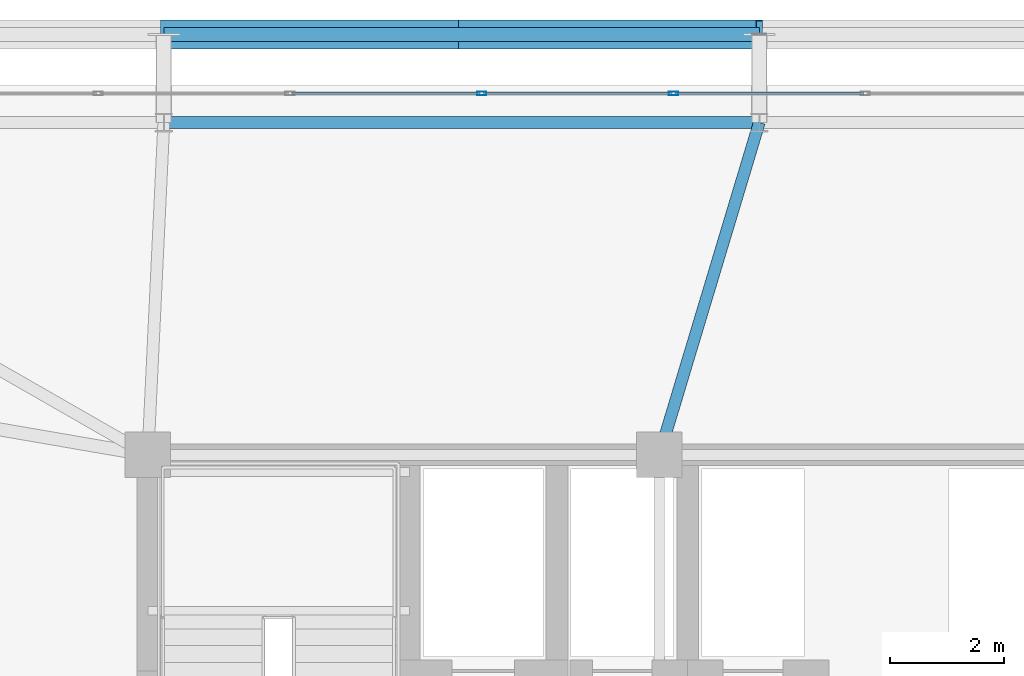
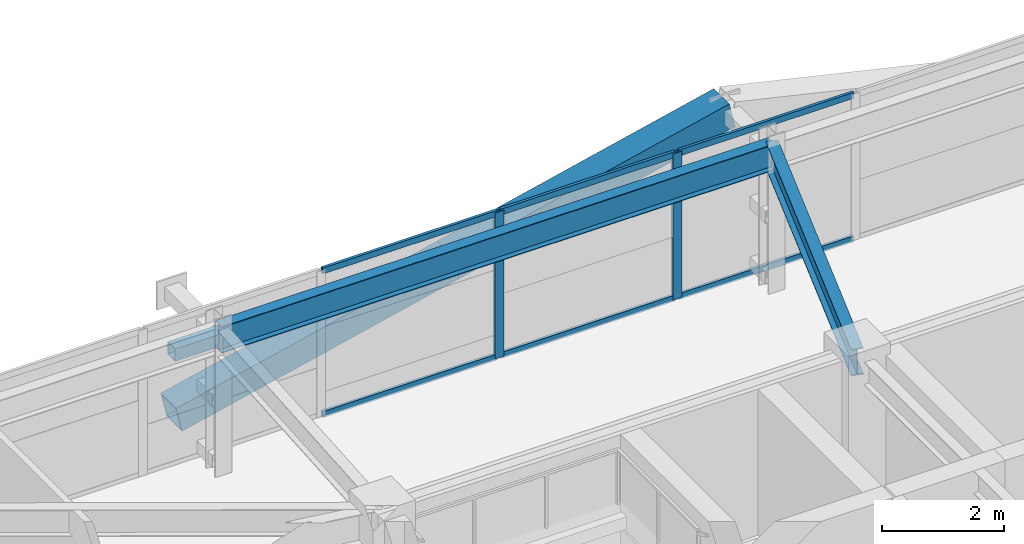
# One storey, part 36 of 59: 11 members, 2 beams, 1 element without a shape of its own.
"""IFC4 building model written with IfcOpenShell, lengths in metres."""

from ifc_helpers import new_model, si_unit, direction, frame, origin, origin_2d, place, context, subcontext, project, spatial, hollow_rectangle, i_section, extrude, source, transform, mapped, material, layer, layer_set, material_profile, profile_set, type_object, element, aggregate, save


model = new_model("IFC4")

# Units and contexts
model_context = context("Model", 3, precision=1e-05, world=origin(), true_north=direction((0.0, 1.0)))
body_context = subcontext(model_context, "Body", "Model", "MODEL_VIEW")
ifc_project = project(units=[si_unit("LENGTHUNIT", "METRE"), si_unit("AREAUNIT", "SQUARE_METRE"), si_unit("VOLUMEUNIT", "CUBIC_METRE"), si_unit("PLANEANGLEUNIT", "RADIAN"), si_unit("MASSUNIT", "GRAM", prefix="KILO")], contexts=[model_context])

# Site, building, storey
site_placement = place(None, origin())
site = spatial("IfcSite", under=ifc_project, at=site_placement, CompositionType="ELEMENT")
building_placement = place(site_placement, origin())
building = spatial("IfcBuilding", under=site, at=building_placement, Name="Taldren Reach Tower", CompositionType="ELEMENT")
storey_placement = place(building_placement, frame((0.0, 0.0, 26.25)))
storey = spatial("IfcBuildingStorey", under=building, at=storey_placement, Name="L07", CompositionType="ELEMENT", Elevation=26.25)

# Beams
ifc_material_1 = material(Name="Steel Gr 350 (350PLUS)", Category="steel")
ifc_material_profile_1 = material_profile(ifc_material_1, i_section(OverallWidth=0.208984375, OverallDepth=0.528076171875, WebThickness=0.009521484375, FlangeThickness=0.01318359375, at=origin_2d()), Name="530UB82.0")
ifc_profile_set_1 = profile_set([ifc_material_profile_1], Name="Steel Gr 350 (350PLUS)")
beam_type_1 = type_object("IfcBeamType", Name="SP-UB530B", PredefinedType="SPANDREL", material=ifc_profile_set_1)
shared_shape_1 = source(origin(), body_context, "Body", "SweptSolid", [
    extrude(i_section(OverallWidth=0.208984375, OverallDepth=0.528076171875, WebThickness=0.009521484375, FlangeThickness=0.01318359375, at=origin_2d()), origin(), (0.0, 0.0, 1.0), 10.47998046875),
])
beam_1_placement = place(storey_placement, frame((29.760009765625, 37.85009765625, 2.666015625), z_axis=(-1.0, 0.0, 0.0), x_axis=(0.0, -1.0, 0.0)))
element("IfcBeam", 1, at=beam_1_placement, inside=storey, type_object=beam_type_1, Name="Perimeter spandrel B1 N3-N2 L07", PredefinedType="SPANDREL", context=body_context, shape_type="MappedRepresentation", body=[
    mapped(shared_shape_1, transform((0.0, 0.0, 0.0), scale=1.0)),
])
ifc_material_profile_2 = material_profile(ifc_material_1, i_section(OverallWidth=0.208984375, OverallDepth=0.532958984375, WebThickness=0.01025390625, FlangeThickness=0.015625, at=origin_2d()), Name="530UB92.4")
ifc_profile_set_2 = profile_set([ifc_material_profile_2], Name="Steel Gr 350 (350PLUS)")
beam_type_2 = type_object("IfcBeamType", Name="BM-UB530A", PredefinedType="BEAM", material=ifc_profile_set_2)
shared_shape_2 = source(origin(), body_context, "Body", "SweptSolid", [
    extrude(i_section(OverallWidth=0.208984375, OverallDepth=0.532958984375, WebThickness=0.01025390625, FlangeThickness=0.015625, at=origin_2d()), origin(), (0.0, 0.0, 1.0), 6.109130859375),
])
beam_2_placement = place(storey_placement, frame((28.0, 32.0, 2.66357421875), z_axis=(0.288095735745, 0.957601611864, 0.0), x_axis=(-0.957601611864, 0.288095735745, 0.0)))
element("IfcBeam", 2, at=beam_2_placement, inside=storey, type_object=beam_type_2, Name="Primary floor girder B1-N3 L07", PredefinedType="BEAM", context=body_context, shape_type="MappedRepresentation", body=[
    mapped(shared_shape_2, transform((0.0, 0.0, 0.0), scale=1.0)),
])

# Members
ifc_material_2 = material(Name="Steel Gr 450 (C450L0)", Category="steel")
ifc_material_profile_3 = material_profile(ifc_material_2, hollow_rectangle(XDim=0.510009765625, YDim=0.510009765625, WallThickness=0.02001953125, at=origin_2d()), Name="510x510x20.0SHS")
ifc_profile_set_3 = profile_set([ifc_material_profile_3], Name="Steel Gr 450 (C450L0)")
member_type_1 = type_object("IfcMemberType", Name="MB-EXO508", PredefinedType="BRACE", material=ifc_profile_set_3)
shared_shape_3 = source(origin(), body_context, "Body", "SweptSolid", [
    extrude(hollow_rectangle(XDim=0.510009765625, YDim=0.510009765625, WallThickness=0.02001953125, at=origin_2d()), origin(), (0.0, 0.0, 1.0), 5.37890625),
])
for number, where, z_axis, x_axis, name in (
    (3, (19.280029296875, 39.39990234375, 0.219970703125), (0.97415197996, 0.0, 0.225893603143), (0.0, 1.0, 0.0), "Exoskeleton Diagrid Brace B1-N2 L07"),
    (4, (24.52001953125, 39.39990234375, 1.43505859375), (0.974161966843, 0.0, 0.225850531007), (0.0, 1.0, 0.0), "Exoskeleton Diagrid Brace B1-N2 L07"),
):
    element("IfcMember", number, at=place(storey_placement, frame(where, z_axis=z_axis, x_axis=x_axis)), inside=storey, type_object=member_type_1, Name=name, PredefinedType="BRACE", context=body_context, shape_type="MappedRepresentation", body=[
        mapped(shared_shape_3, transform((0.0, 0.0, 0.0), scale=1.0)),
    ])
ifc_material_3 = material(Name="Steel Gr 350 (C350L0)", Category="steel")
ifc_material_profile_4 = material_profile(ifc_material_3, hollow_rectangle(XDim=0.25, YDim=0.25, WallThickness=0.010009765625, at=origin_2d()), Name="250x250x10.0SHS")
ifc_profile_set_4 = profile_set([ifc_material_profile_4], Name="Steel Gr 350 (C350L0)")
member_type_2 = type_object("IfcMemberType", Name="MB-POST250", PredefinedType="POST", material=ifc_profile_set_4)
shared_shape_4 = source(origin(), body_context, "Body", "SweptSolid", [
    extrude(hollow_rectangle(XDim=0.25, YDim=0.25, WallThickness=0.010009765625, at=origin_2d()), origin(), (0.0, 0.0, 1.0), 10.47998046875),
])
member_1_placement = place(storey_placement, frame((19.280029296875, 39.39990234375, 1.43505859375), z_axis=(1.0, 0.0, 0.0), x_axis=(0.0, 1.0, 0.0)))
element("IfcMember", 5, at=member_1_placement, inside=storey, type_object=member_type_2, Name="Exoskeleton mid-height ring chord B1-N2 L07", PredefinedType="POST", context=body_context, shape_type="MappedRepresentation", body=[
    mapped(shared_shape_4, transform((0.0, 0.0, 0.0), scale=1.0)),
])

# Curtain wall, members
ifc_material_4 = material(Name="Aluminium and Low-E Glass Unitised System", Category="aluminium")
ifc_layer = layer(ifc_material_4, 0.159912109375)
ifc_layer_set = layer_set([ifc_layer], Name="Aluminium and Low-E Glass Unitised System")
curtain_wall_type = type_object("IfcCurtainWallType", Name="CW-SYS-2", PredefinedType="NOTDEFINED", material=ifc_layer_set)
curtain_wall_placement = place(storey_placement, origin())
curtain_wall = element("IfcCurtainWall", 6, at=curtain_wall_placement, inside=storey, type_object=curtain_wall_type, Name="Unitised curtain wall CW-L07-N", PredefinedType="NOTDEFINED")
ifc_material_5 = material(Name="Anodised Aluminium 6063-T6", Category="aluminium")
ifc_material_profile_5 = material_profile(ifc_material_5, hollow_rectangle(XDim=0.06494140625, YDim=0.1650390625, WallThickness=0.00390625, at=origin_2d()), Name="ALU-165x65x4RHS")
ifc_profile_set_5 = profile_set([ifc_material_profile_5], Name="Anodised Aluminium 6063-T6")
member_type_3 = type_object("IfcMemberType", Name="CW-MUL-165", PredefinedType="MULLION", material=ifc_profile_set_5)
shared_shape_5 = source(origin(), body_context, "Body", "SweptSolid", [
    extrude(hollow_rectangle(XDim=0.06494140625, YDim=0.1650390625, WallThickness=0.00390625, at=origin_2d()), origin(), (0.0, 0.0, 1.0), 2.929931640625),
])
member_2_placement = place(storey_placement, frame((28.25, 38.360107421875, 0.0), z_axis=(0.0, 0.0, 1.0), x_axis=(0.0, -1.0, 0.0)))
member_2 = element("IfcMember", 7, at=member_2_placement, type_object=member_type_3, Name="CW-2 mullion 11", PredefinedType="MULLION", context=body_context, shape_type="MappedRepresentation", body=[
    mapped(shared_shape_5, transform((0.0, 0.0, 0.0), scale=1.0)),
])
member_3_placement = place(storey_placement, frame((24.875, 38.360107421875, 0.0), z_axis=(0.0, 0.0, 1.0), x_axis=(0.0, -1.0, 0.0)))
member_3 = element("IfcMember", 8, at=member_3_placement, type_object=member_type_3, Name="CW-2 mullion 12", PredefinedType="MULLION", context=body_context, shape_type="MappedRepresentation", body=[
    mapped(shared_shape_5, transform((0.0, 0.0, 0.0), scale=1.0)),
])
ifc_material_profile_6 = material_profile(ifc_material_5, hollow_rectangle(XDim=0.054931640625, YDim=0.1201171875, WallThickness=0.0029296875, at=origin_2d()), Name="ALU-120x55x3RHS")
ifc_profile_set_6 = profile_set([ifc_material_profile_6], Name="Anodised Aluminium 6063-T6")
member_type_4 = type_object("IfcMemberType", Name="CW-TRN-135", PredefinedType="USERDEFINED", material=ifc_profile_set_6)
shared_shape_6 = source(origin(), body_context, "Body", "SweptSolid", [
    extrude(hollow_rectangle(XDim=0.054931640625, YDim=0.1201171875, WallThickness=0.0029296875, at=origin_2d()), origin(), (0.0, 0.0, 1.0), 3.31005859375),
])
member_4_placement = place(storey_placement, frame((31.592529296875, 38.360107421875, 0.027587890625), z_axis=(-1.0, 0.0, 0.0), x_axis=(0.0, -1.0, 0.0)))
member_4 = element("IfcMember", 9, at=member_4_placement, type_object=member_type_4, Name="CW-2 transom 10.1", ObjectType="TRANSOM", PredefinedType="USERDEFINED", context=body_context, shape_type="MappedRepresentation", body=[
    mapped(shared_shape_6, transform((0.0, 0.0, 0.0), scale=1.0)),
])
member_5_placement = place(storey_placement, frame((31.592529296875, 38.360107421875, 2.902587890625), z_axis=(-1.0, 0.0, 0.0), x_axis=(0.0, -1.0, 0.0)))
member_5 = element("IfcMember", 10, at=member_5_placement, type_object=member_type_4, Name="CW-2 transom 10.2", ObjectType="TRANSOM", PredefinedType="USERDEFINED", context=body_context, shape_type="MappedRepresentation", body=[
    mapped(shared_shape_6, transform((0.0, 0.0, 0.0), scale=1.0)),
])
member_6_placement = place(storey_placement, frame((28.217529296875, 38.360107421875, 0.027587890625), z_axis=(-1.0, 0.0, 0.0), x_axis=(0.0, -1.0, 0.0)))
member_6 = element("IfcMember", 11, at=member_6_placement, type_object=member_type_4, Name="CW-2 transom 11.1", ObjectType="TRANSOM", PredefinedType="USERDEFINED", context=body_context, shape_type="MappedRepresentation", body=[
    mapped(shared_shape_6, transform((0.0, 0.0, 0.0), scale=1.0)),
])
member_7_placement = place(storey_placement, frame((28.217529296875, 38.360107421875, 2.902587890625), z_axis=(-1.0, 0.0, 0.0), x_axis=(0.0, -1.0, 0.0)))
member_7 = element("IfcMember", 12, at=member_7_placement, type_object=member_type_4, Name="CW-2 transom 11.2", ObjectType="TRANSOM", PredefinedType="USERDEFINED", context=body_context, shape_type="MappedRepresentation", body=[
    mapped(shared_shape_6, transform((0.0, 0.0, 0.0), scale=1.0)),
])
member_8_placement = place(storey_placement, frame((24.842529296875, 38.360107421875, 0.027587890625), z_axis=(-1.0, 0.0, 0.0), x_axis=(0.0, -1.0, 0.0)))
member_8 = element("IfcMember", 13, at=member_8_placement, type_object=member_type_4, Name="CW-2 transom 12.1", ObjectType="TRANSOM", PredefinedType="USERDEFINED", context=body_context, shape_type="MappedRepresentation", body=[
    mapped(shared_shape_6, transform((0.0, 0.0, 0.0), scale=1.0)),
])
member_9_placement = place(storey_placement, frame((24.842529296875, 38.360107421875, 2.902587890625), z_axis=(-1.0, 0.0, 0.0), x_axis=(0.0, -1.0, 0.0)))
member_9 = element("IfcMember", 14, at=member_9_placement, type_object=member_type_4, Name="CW-2 transom 12.2", ObjectType="TRANSOM", PredefinedType="USERDEFINED", context=body_context, shape_type="MappedRepresentation", body=[
    mapped(shared_shape_6, transform((0.0, 0.0, 0.0), scale=1.0)),
])
aggregate(curtain_wall, [member_2, member_3, member_4, member_5, member_6, member_7, member_8, member_9])

save(model, "model.ifc")
